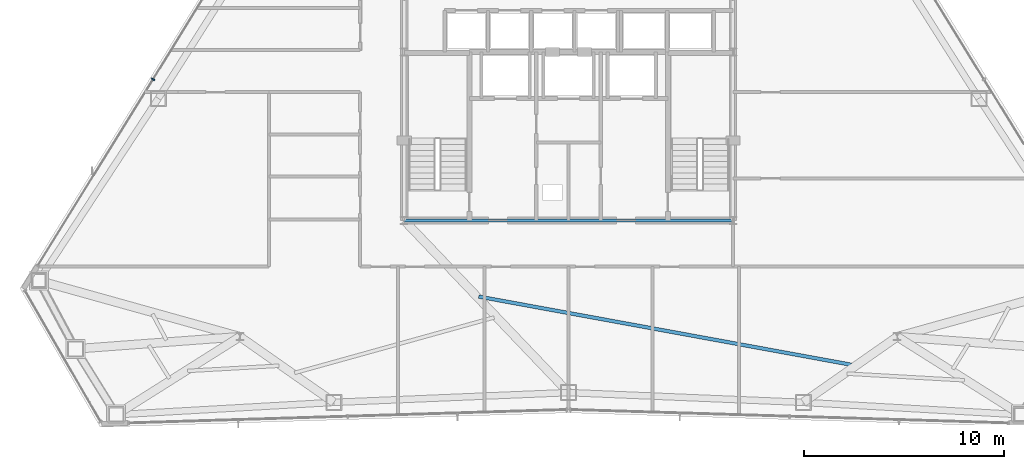
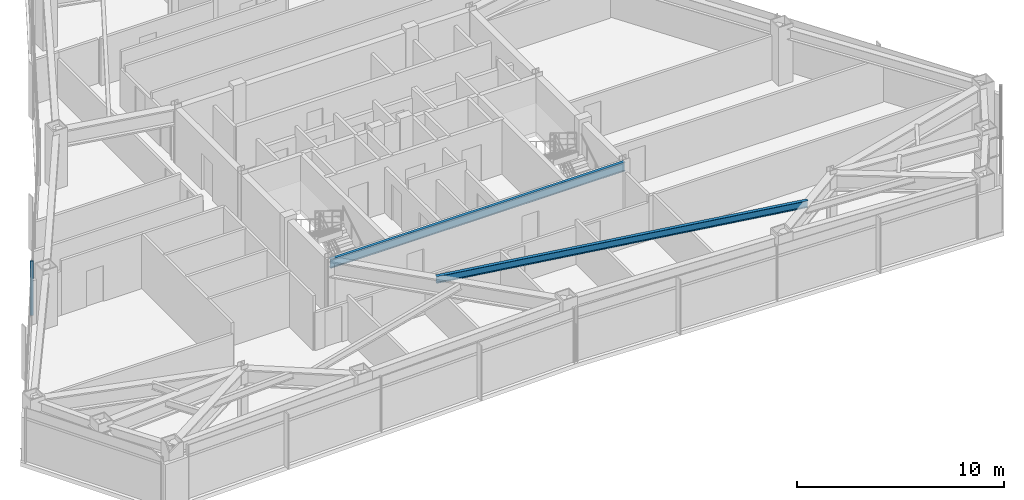
# One storey, part 4 of 13: 2 beams, 1 member, 1 element without a shape of its own.
"""IFC4 building model written with IfcOpenShell, lengths in metres."""

from ifc_helpers import new_model, si_unit, direction, frame, origin, origin_2d, place, context, subcontext, project, spatial, rectangle, i_section, extrude, source, transform, mapped, material, layer, layer_set, material_profile, profile_set, type_object, type_shapes, element, aggregate, save


model = new_model("IFC4")

# Units and contexts
model_context = context("Model", 3, precision=1e-05, world=origin(), true_north=direction((0.0, 1.0)))
body_context = subcontext(model_context, "Body", "Model", "MODEL_VIEW")
ifc_project = project(units=[si_unit("LENGTHUNIT", "METRE"), si_unit("AREAUNIT", "SQUARE_METRE"), si_unit("VOLUMEUNIT", "CUBIC_METRE"), si_unit("PLANEANGLEUNIT", "RADIAN"), si_unit("MASSUNIT", "GRAM", prefix="KILO")], contexts=[model_context])

# Site, building, storey
site_placement = place(None, origin())
site = spatial("IfcSite", under=ifc_project, at=site_placement, CompositionType="ELEMENT")
building_placement = place(site_placement, origin())
building = spatial("IfcBuilding", under=site, at=building_placement, Name="Varakhsha Concourse Tower", CompositionType="ELEMENT")
storey_placement = place(building_placement, frame((0.0, 0.0, 168.89990234375)))
storey = spatial("IfcBuildingStorey", under=building, at=storey_placement, Name="L48", CompositionType="ELEMENT", Elevation=168.89990234375)

# Beams
ifc_material_1 = material(Name="Structural Steel ASTM A992 Grade 50", Category="steel")
ifc_material_profile_1 = material_profile(ifc_material_1, i_section(OverallWidth=0.177978515625, OverallDepth=0.406982421875, WebThickness=0.008056640625, FlangeThickness=0.012939453125, at=origin_2d()), Name="W16X40")
ifc_profile_set_1 = profile_set([ifc_material_profile_1], Name="Structural Steel ASTM A992 Grade 50")
beam_type_1 = type_object("IfcBeamType", Name="BM-JST-W16X40", PredefinedType="JOIST", material=ifc_profile_set_1)
beam_1_placement = place(storey_placement, frame((35.51611328125, 12.6015625, 3.006591796875), z_axis=(0.983674054662, -0.179959312579, 0.0), x_axis=(0.179959312579, 0.983674054662, 0.0)))
element("IfcBeam", 1, at=beam_1_placement, inside=storey, type_object=beam_type_1, Name="BM-TJST-L48-11", PredefinedType="JOIST", context=body_context, shape_type="SweptSolid", body=[
    extrude(i_section(OverallWidth=0.177978515625, OverallDepth=0.406982421875, WebThickness=0.008056640625, FlangeThickness=0.012939453125, at=origin_2d()), origin(), (0.0, 0.0, 1.0), 19.024169921875),
])
ifc_material_profile_2 = material_profile(ifc_material_1, i_section(OverallWidth=0.1669921875, OverallDepth=0.534912109375, WebThickness=0.010009765625, FlangeThickness=0.01708984375, at=origin_2d()), Name="W21X57")
ifc_profile_set_2 = profile_set([ifc_material_profile_2], Name="Structural Steel ASTM A992 Grade 50")
beam_type_2 = type_object("IfcBeamType", Name="BM-RAD-W21X57", PredefinedType="BEAM", material=ifc_profile_set_2)
beam_2_placement = place(storey_placement, frame((31.800048828125, 16.39990234375, 2.942626953125), z_axis=(1.0, 0.0, 0.0), x_axis=(0.0, 1.0, 0.0)))
element("IfcBeam", 2, at=beam_2_placement, inside=storey, type_object=beam_type_2, Name="BM-TCORE-L48-CS", PredefinedType="BEAM", context=body_context, shape_type="SweptSolid", body=[
    extrude(i_section(OverallWidth=0.1669921875, OverallDepth=0.534912109375, WebThickness=0.010009765625, FlangeThickness=0.01708984375, at=origin_2d()), origin(), (0.0, 0.0, 1.0), 16.39990234375),
])

# Curtain wall, member
ifc_material_2 = material(Name="Anodised Bronze Architectural Aluminium AA 6063-T6", Category="aluminium")
ifc_layer = layer(ifc_material_2, 0.2099609375, Name="CW-SYS-04")
ifc_layer_set = layer_set([ifc_layer], Name="Anodised Bronze Architectural Aluminium AA 6063-T6")
curtain_wall_type = type_object("IfcCurtainWallType", Name="CW-SYS-04", PredefinedType="NOTDEFINED", material=ifc_layer_set)
curtain_wall_placement = place(storey_placement, origin())
curtain_wall = element("IfcCurtainWall", 3, at=curtain_wall_placement, inside=storey, type_object=curtain_wall_type, Name="L48 Crystal Curtain Wall F3", PredefinedType="NOTDEFINED")
ifc_material_profile_3 = material_profile(ifc_material_2, rectangle(XDim=0.06494140625, YDim=0.179931640625, at=origin_2d()), Name="CWM-180X65")
ifc_profile_set_3 = profile_set([ifc_material_profile_3], Name="Anodised Bronze Architectural Aluminium AA 6063-T6")
member_type = type_object("IfcMemberType", Name="CWM-180X65", PredefinedType="MULLION", material=ifc_profile_set_3)
shared_shape = source(origin(), body_context, "Body", "SweptSolid", [
    extrude(rectangle(XDim=0.06494140625, YDim=0.179931640625, at=origin_2d()), origin(), (0.0, 0.0, 1.0), 3.210205078125),
])
type_shapes(member_type, [shared_shape])
member_placement = place(storey_placement, frame((19.267578125, 23.44287109375, 0.0), z_axis=(0.0, 0.0, 1.0), x_axis=(0.526199082126, 0.850361409032, 0.0)))
member = element("IfcMember", 4, at=member_placement, type_object=member_type, Name="CW-L48-F3 Mullion 01", PredefinedType="MULLION", context=body_context, shape_type="MappedRepresentation", body=[
    mapped(shared_shape, transform((0.0, 0.0, 0.0), scale=1.0)),
])
aggregate(curtain_wall, [member])

save(model, "model.ifc")
